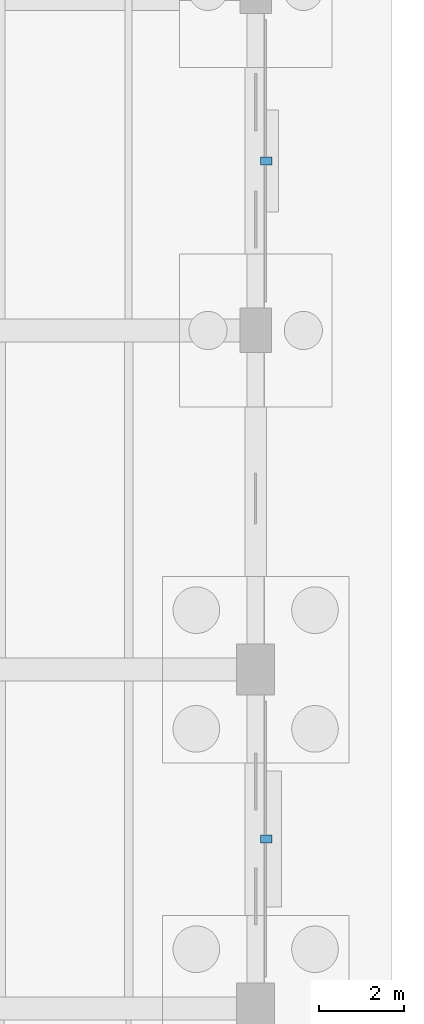
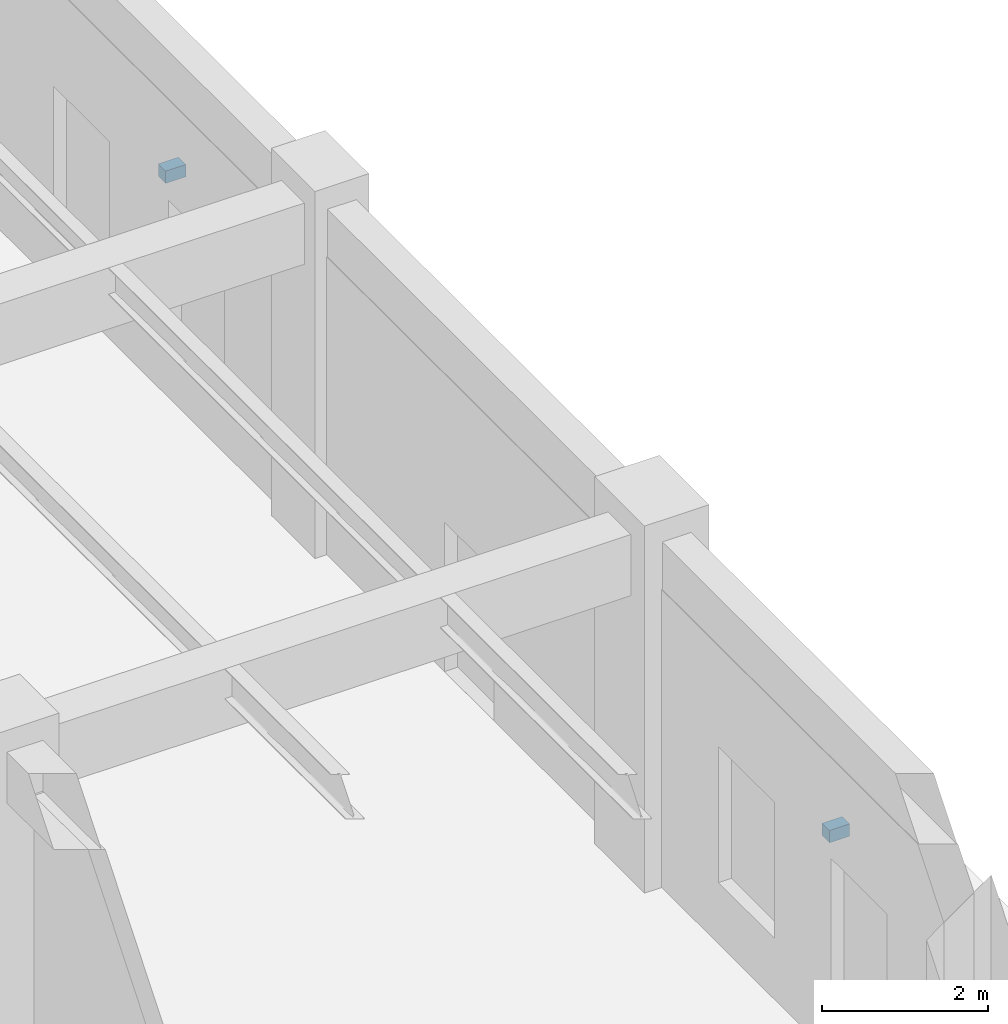
# One storey, part 109 of 121: 2 discrete accessories.
"""IFC4 building model written with IfcOpenShell, lengths in metres."""

from ifc_helpers import new_model, si_unit, derived_unit, direction, frame, origin, origin_2d, place, context, subcontext, project, spatial, rectangle, extrude, material, type_object, element, save


model = new_model("IFC4")

# Units and contexts
model_context = context("Model", 3, precision=1e-05, world=origin(), true_north=direction((0.0, 1.0)))
body_context = subcontext(model_context, "Body", "Model", "MODEL_VIEW")
ifc_project = project(units=[si_unit("LENGTHUNIT", "METRE"), si_unit("AREAUNIT", "SQUARE_METRE"), si_unit("VOLUMEUNIT", "CUBIC_METRE"), si_unit("PLANEANGLEUNIT", "RADIAN"), si_unit("MASSUNIT", "GRAM", prefix="KILO"), derived_unit("THERMALTRANSMITTANCEUNIT", [(si_unit("MASSUNIT", "GRAM", prefix="KILO"), 1), (si_unit("TIMEUNIT", "SECOND"), -3), (si_unit("THERMODYNAMICTEMPERATUREUNIT", "KELVIN"), -1)])], contexts=[model_context])

# Site, building, storey
site_placement = place(None, origin())
site = spatial("IfcSite", under=ifc_project, at=site_placement, CompositionType="ELEMENT")
building_placement = place(site_placement, origin())
building = spatial("IfcBuilding", under=site, at=building_placement, Name="Zhenchuan Archway Interchange", CompositionType="ELEMENT")
storey_placement = place(building_placement, origin())
storey = spatial("IfcBuildingStorey", under=building, at=storey_placement, Name="L00", CompositionType="ELEMENT", Elevation=0.0)

# Discrete accessories
ifc_material = material(Name="Stainless Steel 316", Category="steel")
discrete_accessory_type = type_object("IfcDiscreteAccessoryType", Name="BRK_SHD_2", PredefinedType="BRACKET", material=ifc_material)
for number, where, z_axis, x_axis, name in (
    (1, (171.25, 100.0, 2.66015625), (0.0, 0.0, 1.0), (0.0, -1.0, 0.0), "Storm-louvre stainless fixing bracket L00-013"),
    (2, (171.25, 84.0, 2.66015625), (0.0, 0.0, 1.0), (0.0, -1.0, 0.0), "Storm-louvre stainless fixing bracket L00-014"),
):
    element("IfcDiscreteAccessory", number, at=place(storey_placement, frame(where, z_axis=z_axis, x_axis=x_axis)), inside=storey, type_object=discrete_accessory_type, Name=name, PredefinedType="BRACKET", context=body_context, shape_type="SweptSolid", body=[
        extrude(rectangle(XDim=0.179931640625, YDim=0.280029296875, at=origin_2d()), origin(), (0.0, 0.0, 1.0), 0.179931640625),
    ])

save(model, "model.ifc")
